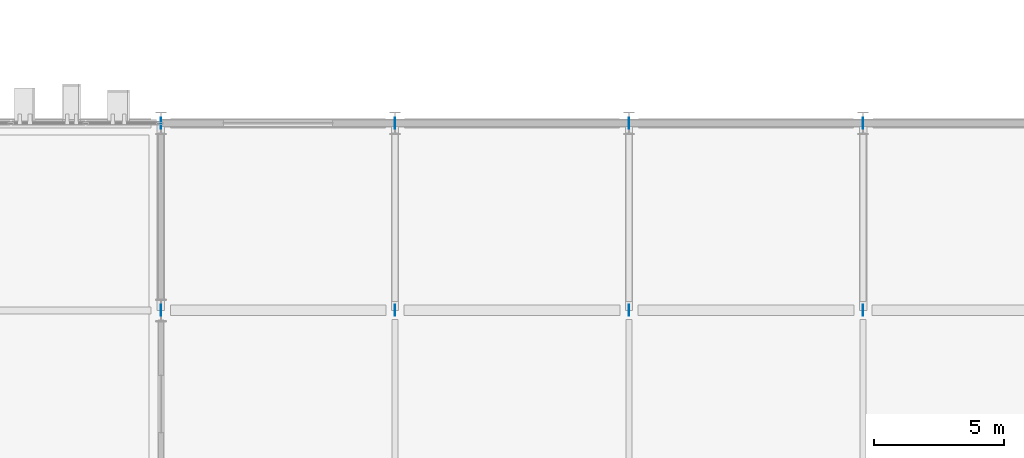
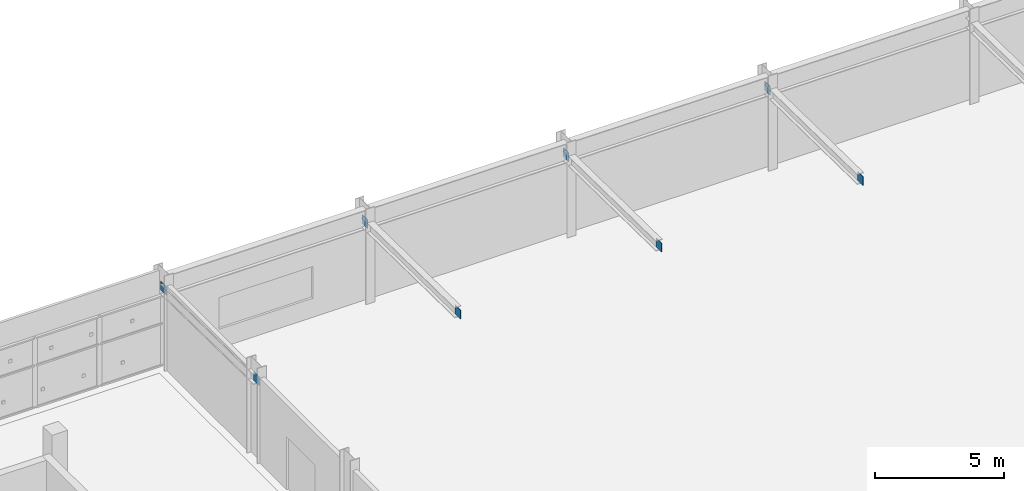
# One storey, part 102 of 151: 8 plates.
"""IFC4 building model written with IfcOpenShell, lengths in metres."""

from ifc_helpers import new_model, si_unit, direction, frame, origin, origin_2d, place, context, subcontext, project, spatial, rectangle, extrude, material, layer, layer_set, type_object, element, save


model = new_model("IFC4")

# Units and contexts
model_context = context("Model", 3, precision=1e-05, world=origin(), true_north=direction((0.0, 1.0)))
body_context = subcontext(model_context, "Body", "Model", "MODEL_VIEW")
ifc_project = project(units=[si_unit("LENGTHUNIT", "METRE"), si_unit("AREAUNIT", "SQUARE_METRE"), si_unit("VOLUMEUNIT", "CUBIC_METRE"), si_unit("PLANEANGLEUNIT", "RADIAN"), si_unit("MASSUNIT", "GRAM", prefix="KILO")], contexts=[model_context])

# Site, building, storey
site_placement = place(None, origin())
site = spatial("IfcSite", under=ifc_project, at=site_placement, CompositionType="ELEMENT")
building_placement = place(site_placement, origin())
building = spatial("IfcBuilding", under=site, at=building_placement, Name="Celestram Park Convention Centre", CompositionType="ELEMENT")
storey_placement = place(building_placement, frame((0.0, 0.0, 10.800048828125)))
storey = spatial("IfcBuildingStorey", under=building, at=storey_placement, Name="L02", CompositionType="ELEMENT", Elevation=10.800048828125)

# Plates
ifc_material = material(Name="Steel ASTM A572 Grade 50", Category="steel")
ifc_layer = layer(ifc_material, 0.02490234375)
ifc_layer_set = layer_set([ifc_layer], Name="Steel ASTM A572 Grade 50")
plate_type = type_object("IfcPlateType", Name="STR-PLT-GP25", PredefinedType="USERDEFINED", material=ifc_layer_set)
for number, where, z_axis, x_axis, name in (
    (1, (162.0, 28.800048828125, 3.498046875), (0.0, 0.0, 1.0), (0.0, 1.0, 0.0), "V3 truss node gusset plate"),
    (2, (162.0, 36.0, 3.39794921875), (0.0, 0.0, 1.0), (0.0, 1.0, 0.0), "V3 truss node gusset plate"),
    (3, (171.0, 28.800048828125, 3.498046875), (0.0, 0.0, 1.0), (0.0, 1.0, 0.0), "V3 truss node gusset plate"),
    (4, (171.0, 36.0, 3.39794921875), (0.0, 0.0, 1.0), (0.0, 1.0, 0.0), "V3 truss node gusset plate"),
    (5, (180.0, 28.800048828125, 3.498046875), (0.0, 0.0, 1.0), (0.0, 1.0, 0.0), "V3 truss node gusset plate"),
    (6, (180.0, 36.0, 3.39794921875), (0.0, 0.0, 1.0), (0.0, 1.0, 0.0), "V3 truss node gusset plate"),
    (7, (189.0, 28.800048828125, 3.498046875), (0.0, 0.0, 1.0), (0.0, 1.0, 0.0), "V3 truss node gusset plate"),
    (8, (189.0, 36.0, 3.39794921875), (0.0, 0.0, 1.0), (0.0, 1.0, 0.0), "V3 truss node gusset plate"),
):
    element("IfcPlate", number, at=place(storey_placement, frame(where, z_axis=z_axis, x_axis=x_axis)), inside=storey, type_object=plate_type, Name=name, ObjectType="GUSSET_PLATE", PredefinedType="USERDEFINED", context=body_context, shape_type="SweptSolid", body=[
        extrude(rectangle(XDim=0.419921875, YDim=0.02490234375, at=origin_2d()), origin(), (0.0, 0.0, 1.0), 0.419921875),
    ])

save(model, "model.ifc")
